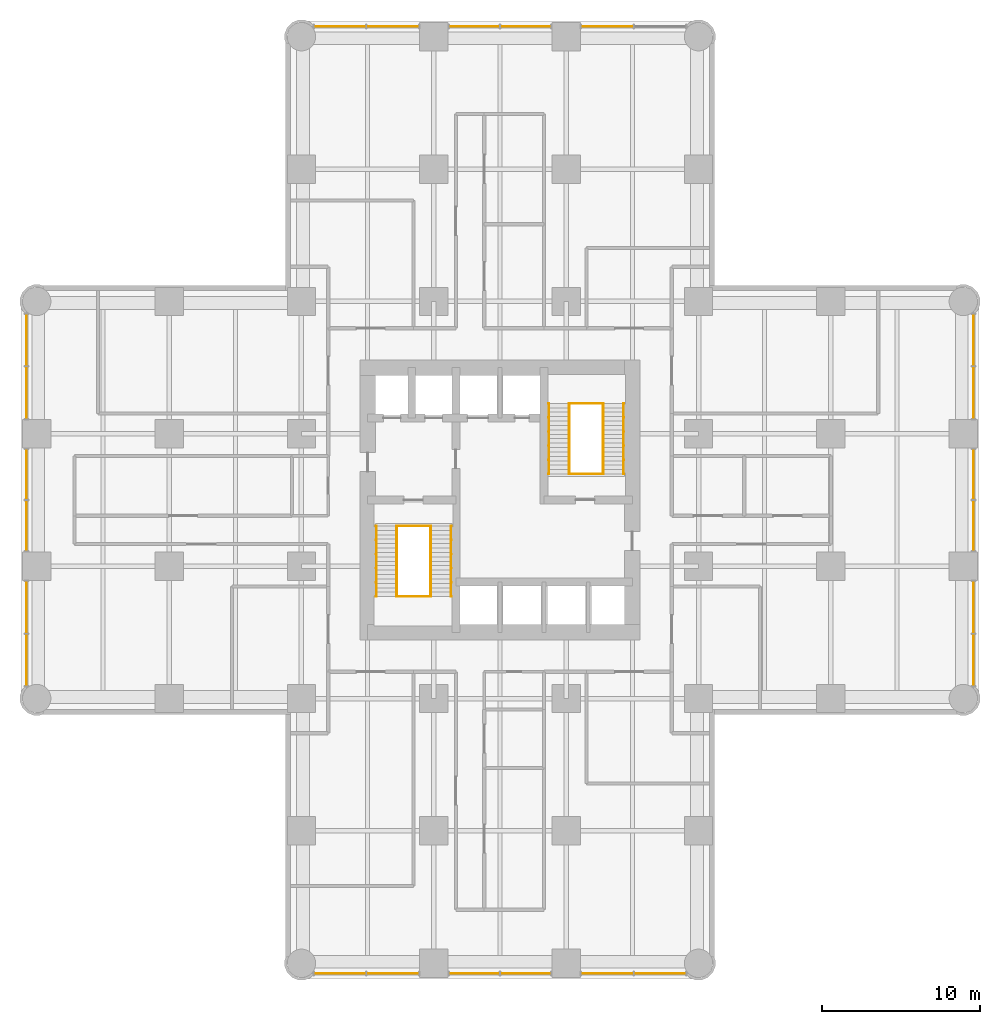
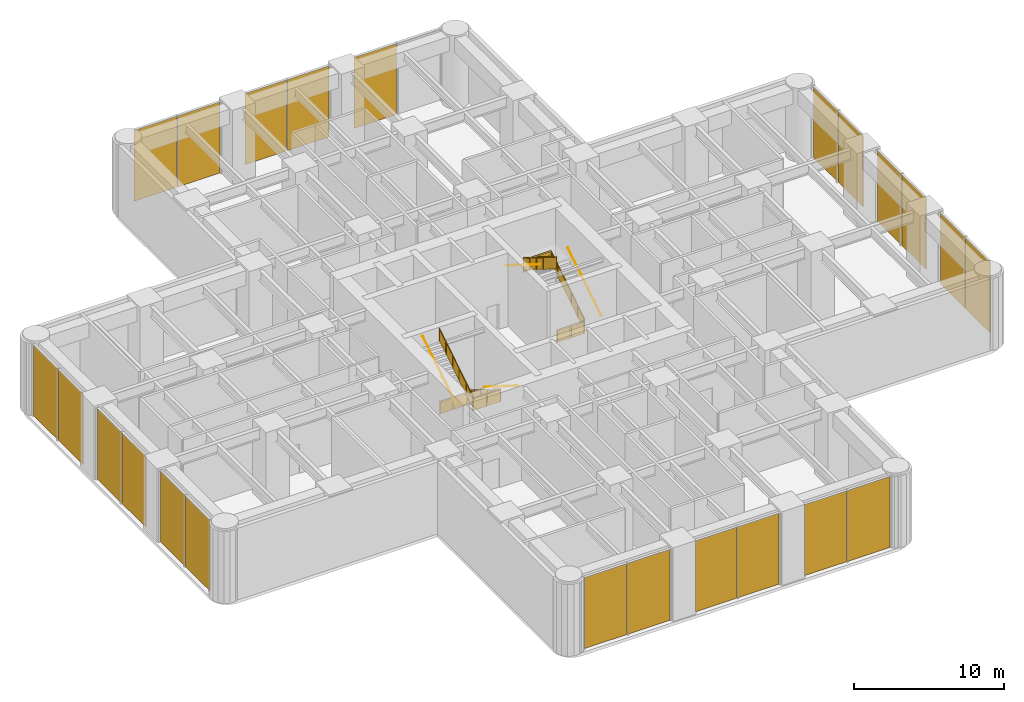
# One storey, part 10 of 11: 23 shading devices, 12 railings, 4 elements without a shape of their own.
"""IFC4 building model written with IfcOpenShell, lengths in metres."""

import ifcopenshell
import ifcopenshell.guid

model = None  # the IFC model being written
_history = None  # IfcOwnerHistory: only IFC2X3 demands one
_inside = {}  # id of a spatial element -> (the spatial element, [elements in it])
_under = {}  # id of a project, library or spatial element -> (it, [spatial elements below it])
_declared = {}  # id of a project -> (the project, [libraries it declares])
_typed = {}  # id of a type object -> (the type object, [elements of that type])
_made_of = {}  # id of a material, layer set ... -> (it, [elements and type objects made of it])


def new_model(schema):
    """Start an empty IFC model of exactly this schema.

    Asked for "IFC4X3", IfcOpenShell would pick the latest addendum, in which some entities
    have other attributes; the version numbers below select the first issue.
    IFC2X3 requires an IfcOwnerHistory on every rooted entity: one is made here for all.
    """
    global model, _history
    if schema == "IFC4X3":
        model = ifcopenshell.file(schema_version=(4, 3, 0, 0))
    else:
        model = ifcopenshell.file(schema=schema)
    _inside.clear()
    _under.clear()
    _declared.clear()
    _typed.clear()
    _made_of.clear()
    _history = None
    if model.schema == "IFC2X3":
        org = make("IfcOrganization", Name="unknown")
        user = make(
            "IfcPersonAndOrganization",
            ThePerson=make("IfcPerson", FamilyName="unknown"),
            TheOrganization=org,
        )
        app = make(
            "IfcApplication",
            ApplicationDeveloper=org,
            Version="unknown",
            ApplicationFullName="unknown",
            ApplicationIdentifier="unknown",
        )
        _history = make(
            "IfcOwnerHistory",
            OwningUser=user,
            OwningApplication=app,
            ChangeAction="ADDED",
            CreationDate=0,
        )
    return model


def make(cls, **values):
    """One entity of the class cls with the attributes given. An attribute that is None is left unset."""
    return model.create_entity(
        cls, **{name: value for name, value in values.items() if value is not None}
    )


def rooted(cls, **values):
    """An entity with a GlobalId (a new one), such as an element, a storey or a relation."""
    return make(cls, GlobalId=ifcopenshell.guid.new(), OwnerHistory=_history, **values)


def si_unit(unit_type, name, prefix=None):
    """IfcSIUnit, for example si_unit("LENGTHUNIT", "METRE", prefix="MILLI")."""
    return make("IfcSIUnit", UnitType=unit_type, Prefix=prefix, Name=name)


def assignment(units):
    """IfcUnitAssignment: the units of a project."""
    return None if units is None else make("IfcUnitAssignment", Units=units)


def point(xyz):
    """IfcCartesianPoint."""
    return None if xyz is None else make("IfcCartesianPoint", Coordinates=xyz)


def direction(xyz):
    """IfcDirection."""
    return None if xyz is None else make("IfcDirection", DirectionRatios=xyz)


def frame(location, z_axis=None, x_axis=None):
    """IfcAxis2Placement3D, a coordinate frame: its origin and axes. An axis left out is left unset."""
    return make(
        "IfcAxis2Placement3D",
        Location=point(location),
        Axis=direction(z_axis),
        RefDirection=direction(x_axis),
    )


def frame_2d(location, x_axis=None):
    """IfcAxis2Placement2D, a coordinate frame in the plane: its origin and x axis."""
    return make(
        "IfcAxis2Placement2D", Location=point(location), RefDirection=direction(x_axis)
    )


def origin():
    """The frame at (0, 0, 0) with its axes left unset."""
    return frame((0.0, 0.0, 0.0))


def origin_2d():
    """The frame at (0, 0) in the plane with its x axis left unset."""
    return frame_2d((0.0, 0.0))


def place(relative_to, where):
    """IfcLocalPlacement: puts the frame where relative to a parent placement (None: the world)."""
    return make(
        "IfcLocalPlacement", PlacementRelTo=relative_to, RelativePlacement=where
    )


def context(
    kind, dimensions, precision=None, world=None, true_north=None, identifier=None
):
    """IfcGeometricRepresentationContext, for example the 3D "Model" context."""
    return make(
        "IfcGeometricRepresentationContext",
        ContextIdentifier=identifier,
        ContextType=kind,
        CoordinateSpaceDimension=dimensions,
        Precision=precision,
        WorldCoordinateSystem=world,
        TrueNorth=true_north,
    )


def subcontext(parent, identifier, kind, view, scale=None):
    """IfcGeometricRepresentationSubContext, for example "Body" below "Model"."""
    return make(
        "IfcGeometricRepresentationSubContext",
        ContextIdentifier=identifier,
        ContextType=kind,
        ParentContext=parent,
        TargetScale=scale,
        TargetView=view,
    )


def project(units=None, contexts=None):
    """IfcProject with its units and contexts."""
    return rooted(
        "IfcProject",
        Name="project",
        RepresentationContexts=contexts,
        UnitsInContext=assignment(units),
    )


def spatial(cls, under=None, at=None, **own):
    """A site, building, storey or space (cls), placed at a placement, below another one or the project."""
    s = rooted(cls, ObjectPlacement=at, **own)
    if under is not None:
        _under.setdefault(under.id(), (under, []))[1].append(s)
    return s


def polyline(points):
    """IfcPolyline through the points."""
    return make("IfcPolyline", Points=[point(p) for p in points])


def profile(cls, at=None, kind="AREA", **sizes):
    """A parametric profile (cls). Its sizes go by their IFC names, for example OverallWidth=200.0."""
    return make(cls, ProfileType=kind, Position=at, **sizes)


def rectangle(**sizes):
    """IfcRectangleProfileDef."""
    return profile("IfcRectangleProfileDef", **sizes)


def circle(**sizes):
    """IfcCircleProfileDef."""
    return profile("IfcCircleProfileDef", **sizes)


def outline(outer, holes=None, kind="AREA"):
    """IfcArbitraryClosedProfileDef: a profile drawn as a closed curve; with holes, ...WithVoids."""
    if holes is None:
        return make("IfcArbitraryClosedProfileDef", ProfileType=kind, OuterCurve=outer)
    return make(
        "IfcArbitraryProfileDefWithVoids",
        ProfileType=kind,
        OuterCurve=outer,
        InnerCurves=holes,
    )


def extrude(swept, where, along, depth):
    """IfcExtrudedAreaSolid: the profile swept, set in the frame where, extruded along a direction by depth."""
    return make(
        "IfcExtrudedAreaSolid",
        SweptArea=swept,
        Position=where,
        ExtrudedDirection=direction(along),
        Depth=depth,
    )


def shape(context_of_items, identifier, shape_type, items):
    """IfcShapeRepresentation: the items that make up one representation, for example the "Body"."""
    return make(
        "IfcShapeRepresentation",
        ContextOfItems=context_of_items,
        RepresentationIdentifier=identifier,
        RepresentationType=shape_type,
        Items=items,
    )


def material(Name=None, Category=None):
    """IfcMaterial."""
    return make("IfcMaterial", Name=Name, Category=Category)


def layer(
    of_material, thickness, ventilated=None, Name=None, Category=None, Priority=None
):
    """IfcMaterialLayer: one layer of a wall or slab, of a material (None: an air gap)."""
    return make(
        "IfcMaterialLayer",
        Material=of_material,
        LayerThickness=thickness,
        IsVentilated=ventilated,
        Name=Name,
        Category=Category,
        Priority=Priority,
    )


def layer_set(layers, Name=None):
    """IfcMaterialLayerSet."""
    return make("IfcMaterialLayerSet", MaterialLayers=layers, LayerSetName=Name)


def made_of(thing, what):
    """Note that an element or type object is made of a material, layer set ...; save() writes the relation."""
    if what is not None:
        _made_of.setdefault(what.id(), (what, []))[1].append(thing)
    return thing


def type_object(cls, material=None, **own):
    """A type object (cls), such as IfcWallType, which elements share."""
    return made_of(rooted(cls, **own), material)


def element(
    cls,
    number,
    at=None,
    inside=None,
    cuts=None,
    type_object=None,
    material=None,
    context=None,
    identifier="Body",
    shape_type=None,
    held_by="IfcProductDefinitionShape",
    body=None,
    shapes=None,
    **own,
):
    """One element of the class cls, such as IfcWall. Its Tag is "e" and its number.

    at: its placement. inside: the storey or other place that contains it. cuts: it is an
    opening in that element (IfcRelVoidsElement). A single representation is given by context,
    identifier, shape_type and body (its items); several are given by shapes. held_by: the class
    of the entity that holds the representations. save() writes the other relations.
    """
    e = rooted(cls, Tag="e%d" % number, ObjectPlacement=at, **own)
    if body is not None:
        shapes = [shape(context, identifier, shape_type, body)]
    if shapes is not None:
        e.Representation = make(held_by, Representations=shapes)
    if inside is not None:
        _inside.setdefault(inside.id(), (inside, []))[1].append(e)
    if cuts is not None:
        rooted(
            "IfcRelVoidsElement", RelatingBuildingElement=cuts, RelatedOpeningElement=e
        )
    if type_object is not None:
        _typed.setdefault(type_object.id(), (type_object, []))[1].append(e)
    return made_of(e, material)


def aggregate(whole, parts):
    """IfcRelAggregates: a whole, such as a stair, and the parts it consists of."""
    return rooted("IfcRelAggregates", RelatingObject=whole, RelatedObjects=parts)


def save(model, path):
    """Write the relations noted so far, then the file.

    IfcRelAggregates (storeys below a building ...), IfcRelContainedInSpatialStructure (elements
    in a storey), IfcRelDefinesByType, IfcRelAssociatesMaterial and IfcRelDeclares: one each for
    every whole, place, type object, material and project.
    """
    for whole, parts in _under.values():
        aggregate(whole, parts)
    for where, things in _inside.values():
        rooted(
            "IfcRelContainedInSpatialStructure",
            RelatedElements=things,
            RelatingStructure=where,
        )
    for kind, things in _typed.values():
        rooted("IfcRelDefinesByType", RelatedObjects=things, RelatingType=kind)
    for what, things in _made_of.values():
        rooted("IfcRelAssociatesMaterial", RelatedObjects=things, RelatingMaterial=what)
    for by, libraries in _declared.values():
        rooted("IfcRelDeclares", RelatingContext=by, RelatedDefinitions=libraries)
    model.write(path)


model = new_model("IFC4")

# Units and contexts
model_context = context("Model", 3, precision=1e-05, world=origin(), true_north=direction((0.0, 1.0)))
body_context = subcontext(model_context, "Body", "Model", "MODEL_VIEW")
ifc_project = project(units=[si_unit("LENGTHUNIT", "METRE"), si_unit("AREAUNIT", "SQUARE_METRE"), si_unit("VOLUMEUNIT", "CUBIC_METRE"), si_unit("PLANEANGLEUNIT", "RADIAN"), si_unit("MASSUNIT", "GRAM", prefix="KILO")], contexts=[model_context])

# Site, building, storey
site_placement = place(None, origin())
site = spatial("IfcSite", under=ifc_project, at=site_placement, CompositionType="ELEMENT")
building_placement = place(site_placement, origin())
building = spatial("IfcBuilding", under=site, at=building_placement, Name="Torre Alcanfor", CompositionType="ELEMENT")
storey_placement = place(building_placement, frame((0.0, 0.0, 28.5)))
storey = spatial("IfcBuildingStorey", under=building, at=storey_placement, Name="L06", CompositionType="ELEMENT", Elevation=28.5)

# Curtain wall, shading devices
ifc_material_1 = material(Name="Aluminium and glass", Category="aluminium")
curtain_wall_type = type_object("IfcCurtainWallType", Name="CW-D plant floor louvre screen", PredefinedType="NOTDEFINED", material=ifc_material_1)
curtain_wall_1_placement = place(storey_placement, origin())
curtain_wall_1 = element("IfcCurtainWall", 1, at=curtain_wall_1_placement, inside=storey, type_object=curtain_wall_type, Name="Curtain wall CW-D L06 2", PredefinedType="NOTDEFINED")
ifc_material_2 = material(Name="Aluminium louvre", Category="aluminium")
ifc_layer = layer(ifc_material_2, 0.028076171875)
ifc_layer_set = layer_set([ifc_layer], Name="CW-D aluminium louvre panel")
shading_device_type = type_object("IfcShadingDeviceType", Name="CW-D aluminium louvre panel", PredefinedType="SHUTTER", material=ifc_layer_set)
shading_device_1_placement = place(storey_placement, frame((-0.64990234375, 39.544189453125, 0.0), z_axis=(0.0, 0.0, 1.0), x_axis=(0.0, -1.0, 0.0)))
shading_device_1 = element("IfcShadingDevice", 2, at=shading_device_1_placement, type_object=shading_device_type, Name="CW-D panel 1.1.1", PredefinedType="SHUTTER", context=body_context, shape_type="SweptSolid", body=[
    extrude(rectangle(XDim=3.27294921875, YDim=0.028076171875, at=origin_2d()), origin(), (0.0, 0.0, 1.0), 5.784912109375),
])
shading_device_2_placement = place(storey_placement, frame((-0.64990234375, 36.20654296875, 0.0), z_axis=(0.0, 0.0, 1.0), x_axis=(0.0, -1.0, 0.0)))
shading_device_2 = element("IfcShadingDevice", 3, at=shading_device_2_placement, type_object=shading_device_type, Name="CW-D panel 1.2.1", PredefinedType="SHUTTER", context=body_context, shape_type="SweptSolid", body=[
    extrude(rectangle(XDim=3.27294921875, YDim=0.028076171875, at=origin_2d()), origin(), (0.0, 0.0, 1.0), 5.784912109375),
])
shading_device_3_placement = place(storey_placement, frame((-0.64990234375, 31.03125, 0.0), z_axis=(0.0, 0.0, 1.0), x_axis=(0.0, -1.0, 0.0)))
shading_device_3 = element("IfcShadingDevice", 4, at=shading_device_3_placement, type_object=shading_device_type, Name="CW-D panel 2.1.1", PredefinedType="SHUTTER", context=body_context, shape_type="SweptSolid", body=[
    extrude(rectangle(XDim=3.197509765625, YDim=0.028076171875, at=origin_2d()), origin(), (0.0, 0.0, 1.0), 5.784912109375),
])
shading_device_4_placement = place(storey_placement, frame((-0.64990234375, 27.768798828125, 0.0), z_axis=(0.0, 0.0, 1.0), x_axis=(0.0, -1.0, 0.0)))
shading_device_4 = element("IfcShadingDevice", 5, at=shading_device_4_placement, type_object=shading_device_type, Name="CW-D panel 2.2.1", PredefinedType="SHUTTER", context=body_context, shape_type="SweptSolid", body=[
    extrude(rectangle(XDim=3.197509765625, YDim=0.028076171875, at=origin_2d()), origin(), (0.0, 0.0, 1.0), 5.784912109375),
])
shading_device_5_placement = place(storey_placement, frame((-0.64990234375, 22.593505859375, 0.0), z_axis=(0.0, 0.0, 1.0), x_axis=(0.0, -1.0, 0.0)))
shading_device_5 = element("IfcShadingDevice", 6, at=shading_device_5_placement, type_object=shading_device_type, Name="CW-D panel 3.1.1", PredefinedType="SHUTTER", context=body_context, shape_type="SweptSolid", body=[
    extrude(rectangle(XDim=3.27294921875, YDim=0.028076171875, at=origin_2d()), origin(), (0.0, 0.0, 1.0), 5.784912109375),
])
shading_device_6_placement = place(storey_placement, frame((-0.64990234375, 19.255615234375, 0.0), z_axis=(0.0, 0.0, 1.0), x_axis=(0.0, -1.0, 0.0)))
shading_device_6 = element("IfcShadingDevice", 7, at=shading_device_6_placement, type_object=shading_device_type, Name="CW-D panel 3.2.1", PredefinedType="SHUTTER", context=body_context, shape_type="SweptSolid", body=[
    extrude(rectangle(XDim=3.27294921875, YDim=0.028076171875, at=origin_2d()), origin(), (0.0, 0.0, 1.0), 5.784912109375),
])
aggregate(curtain_wall_1, [shading_device_1, shading_device_2, shading_device_3, shading_device_4, shading_device_5, shading_device_6])

curtain_wall_2_placement = place(storey_placement, origin())
curtain_wall_2 = element("IfcCurtainWall", 8, at=curtain_wall_2_placement, inside=storey, type_object=curtain_wall_type, Name="Curtain wall CW-D L06 5", PredefinedType="NOTDEFINED")
shading_device_7_placement = place(storey_placement, frame((19.255615234375, -0.64990234375, 0.0), z_axis=(0.0, 0.0, 1.0), x_axis=(1.0, 0.0, 0.0)))
shading_device_7 = element("IfcShadingDevice", 9, at=shading_device_7_placement, type_object=shading_device_type, Name="CW-D panel 1.1.1", PredefinedType="SHUTTER", context=body_context, shape_type="SweptSolid", body=[
    extrude(rectangle(XDim=3.27294921875, YDim=0.028076171875, at=origin_2d()), origin(), (0.0, 0.0, 1.0), 5.784912109375),
])
shading_device_8_placement = place(storey_placement, frame((22.593505859375, -0.64990234375, 0.0), z_axis=(0.0, 0.0, 1.0), x_axis=(1.0, 0.0, 0.0)))
shading_device_8 = element("IfcShadingDevice", 10, at=shading_device_8_placement, type_object=shading_device_type, Name="CW-D panel 1.2.1", PredefinedType="SHUTTER", context=body_context, shape_type="SweptSolid", body=[
    extrude(rectangle(XDim=3.27294921875, YDim=0.028076171875, at=origin_2d()), origin(), (0.0, 0.0, 1.0), 5.784912109375),
])
shading_device_9_placement = place(storey_placement, frame((27.768798828125, -0.64990234375, 0.0), z_axis=(0.0, 0.0, 1.0), x_axis=(1.0, 0.0, 0.0)))
shading_device_9 = element("IfcShadingDevice", 11, at=shading_device_9_placement, type_object=shading_device_type, Name="CW-D panel 2.1.1", PredefinedType="SHUTTER", context=body_context, shape_type="SweptSolid", body=[
    extrude(rectangle(XDim=3.197509765625, YDim=0.028076171875, at=origin_2d()), origin(), (0.0, 0.0, 1.0), 5.784912109375),
])
shading_device_10_placement = place(storey_placement, frame((31.03125, -0.64990234375, 0.0), z_axis=(0.0, 0.0, 1.0), x_axis=(1.0, 0.0, 0.0)))
shading_device_10 = element("IfcShadingDevice", 12, at=shading_device_10_placement, type_object=shading_device_type, Name="CW-D panel 2.2.1", PredefinedType="SHUTTER", context=body_context, shape_type="SweptSolid", body=[
    extrude(rectangle(XDim=3.197509765625, YDim=0.028076171875, at=origin_2d()), origin(), (0.0, 0.0, 1.0), 5.784912109375),
])
shading_device_11_placement = place(storey_placement, frame((36.20654296875, -0.64990234375, 0.0), z_axis=(0.0, 0.0, 1.0), x_axis=(1.0, 0.0, 0.0)))
shading_device_11 = element("IfcShadingDevice", 13, at=shading_device_11_placement, type_object=shading_device_type, Name="CW-D panel 3.1.1", PredefinedType="SHUTTER", context=body_context, shape_type="SweptSolid", body=[
    extrude(rectangle(XDim=3.27294921875, YDim=0.028076171875, at=origin_2d()), origin(), (0.0, 0.0, 1.0), 5.784912109375),
])
shading_device_12_placement = place(storey_placement, frame((39.544189453125, -0.64990234375, 0.0), z_axis=(0.0, 0.0, 1.0), x_axis=(1.0, 0.0, 0.0)))
shading_device_12 = element("IfcShadingDevice", 14, at=shading_device_12_placement, type_object=shading_device_type, Name="CW-D panel 3.2.1", PredefinedType="SHUTTER", context=body_context, shape_type="SweptSolid", body=[
    extrude(rectangle(XDim=3.27294921875, YDim=0.028076171875, at=origin_2d()), origin(), (0.0, 0.0, 1.0), 5.784912109375),
])
aggregate(curtain_wall_2, [shading_device_7, shading_device_8, shading_device_9, shading_device_10, shading_device_11, shading_device_12])

curtain_wall_3_placement = place(storey_placement, origin())
curtain_wall_3 = element("IfcCurtainWall", 15, at=curtain_wall_3_placement, inside=storey, type_object=curtain_wall_type, Name="Curtain wall CW-D L06 8", PredefinedType="NOTDEFINED")
shading_device_13_placement = place(storey_placement, frame((59.449951171875, 19.255615234375, 0.0), z_axis=(0.0, 0.0, 1.0), x_axis=(0.0, 1.0, 0.0)))
shading_device_13 = element("IfcShadingDevice", 16, at=shading_device_13_placement, type_object=shading_device_type, Name="CW-D panel 1.1.1", PredefinedType="SHUTTER", context=body_context, shape_type="SweptSolid", body=[
    extrude(rectangle(XDim=3.27294921875, YDim=0.028076171875, at=origin_2d()), origin(), (0.0, 0.0, 1.0), 5.784912109375),
])
shading_device_14_placement = place(storey_placement, frame((59.449951171875, 22.593505859375, 0.0), z_axis=(0.0, 0.0, 1.0), x_axis=(0.0, 1.0, 0.0)))
shading_device_14 = element("IfcShadingDevice", 17, at=shading_device_14_placement, type_object=shading_device_type, Name="CW-D panel 1.2.1", PredefinedType="SHUTTER", context=body_context, shape_type="SweptSolid", body=[
    extrude(rectangle(XDim=3.27294921875, YDim=0.028076171875, at=origin_2d()), origin(), (0.0, 0.0, 1.0), 5.784912109375),
])
shading_device_15_placement = place(storey_placement, frame((59.449951171875, 27.768798828125, 0.0), z_axis=(0.0, 0.0, 1.0), x_axis=(0.0, 1.0, 0.0)))
shading_device_15 = element("IfcShadingDevice", 18, at=shading_device_15_placement, type_object=shading_device_type, Name="CW-D panel 2.1.1", PredefinedType="SHUTTER", context=body_context, shape_type="SweptSolid", body=[
    extrude(rectangle(XDim=3.197509765625, YDim=0.028076171875, at=origin_2d()), origin(), (0.0, 0.0, 1.0), 5.784912109375),
])
shading_device_16_placement = place(storey_placement, frame((59.449951171875, 31.03125, 0.0), z_axis=(0.0, 0.0, 1.0), x_axis=(0.0, 1.0, 0.0)))
shading_device_16 = element("IfcShadingDevice", 19, at=shading_device_16_placement, type_object=shading_device_type, Name="CW-D panel 2.2.1", PredefinedType="SHUTTER", context=body_context, shape_type="SweptSolid", body=[
    extrude(rectangle(XDim=3.197509765625, YDim=0.028076171875, at=origin_2d()), origin(), (0.0, 0.0, 1.0), 5.784912109375),
])
shading_device_17_placement = place(storey_placement, frame((59.449951171875, 36.20654296875, 0.0), z_axis=(0.0, 0.0, 1.0), x_axis=(0.0, 1.0, 0.0)))
shading_device_17 = element("IfcShadingDevice", 20, at=shading_device_17_placement, type_object=shading_device_type, Name="CW-D panel 3.1.1", PredefinedType="SHUTTER", context=body_context, shape_type="SweptSolid", body=[
    extrude(rectangle(XDim=3.27294921875, YDim=0.028076171875, at=origin_2d()), origin(), (0.0, 0.0, 1.0), 5.784912109375),
])
shading_device_18_placement = place(storey_placement, frame((59.449951171875, 39.544189453125, 0.0), z_axis=(0.0, 0.0, 1.0), x_axis=(0.0, 1.0, 0.0)))
shading_device_18 = element("IfcShadingDevice", 21, at=shading_device_18_placement, type_object=shading_device_type, Name="CW-D panel 3.2.1", PredefinedType="SHUTTER", context=body_context, shape_type="SweptSolid", body=[
    extrude(rectangle(XDim=3.27294921875, YDim=0.028076171875, at=origin_2d()), origin(), (0.0, 0.0, 1.0), 5.784912109375),
])
aggregate(curtain_wall_3, [shading_device_13, shading_device_14, shading_device_15, shading_device_16, shading_device_17, shading_device_18])

curtain_wall_4_placement = place(storey_placement, origin())
curtain_wall_4 = element("IfcCurtainWall", 22, at=curtain_wall_4_placement, inside=storey, type_object=curtain_wall_type, Name="Curtain wall CW-D L06 11", PredefinedType="NOTDEFINED")
shading_device_19_placement = place(storey_placement, frame((36.20654296875, 59.449951171875, 0.0), z_axis=(0.0, 0.0, 1.0), x_axis=(-1.0, 0.0, 0.0)))
shading_device_19 = element("IfcShadingDevice", 23, at=shading_device_19_placement, type_object=shading_device_type, Name="CW-D panel 1.2.1", PredefinedType="SHUTTER", context=body_context, shape_type="SweptSolid", body=[
    extrude(rectangle(XDim=3.27294921875, YDim=0.028076171875, at=origin_2d()), origin(), (0.0, 0.0, 1.0), 5.784912109375),
])
shading_device_20_placement = place(storey_placement, frame((31.03125, 59.449951171875, 0.0), z_axis=(0.0, 0.0, 1.0), x_axis=(-1.0, 0.0, 0.0)))
shading_device_20 = element("IfcShadingDevice", 24, at=shading_device_20_placement, type_object=shading_device_type, Name="CW-D panel 2.1.1", PredefinedType="SHUTTER", context=body_context, shape_type="SweptSolid", body=[
    extrude(rectangle(XDim=3.197509765625, YDim=0.028076171875, at=origin_2d()), origin(), (0.0, 0.0, 1.0), 5.784912109375),
])
shading_device_21_placement = place(storey_placement, frame((27.768798828125, 59.449951171875, 0.0), z_axis=(0.0, 0.0, 1.0), x_axis=(-1.0, 0.0, 0.0)))
shading_device_21 = element("IfcShadingDevice", 25, at=shading_device_21_placement, type_object=shading_device_type, Name="CW-D panel 2.2.1", PredefinedType="SHUTTER", context=body_context, shape_type="SweptSolid", body=[
    extrude(rectangle(XDim=3.197509765625, YDim=0.028076171875, at=origin_2d()), origin(), (0.0, 0.0, 1.0), 5.784912109375),
])
shading_device_22_placement = place(storey_placement, frame((22.593505859375, 59.449951171875, 0.0), z_axis=(0.0, 0.0, 1.0), x_axis=(-1.0, 0.0, 0.0)))
shading_device_22 = element("IfcShadingDevice", 26, at=shading_device_22_placement, type_object=shading_device_type, Name="CW-D panel 3.1.1", PredefinedType="SHUTTER", context=body_context, shape_type="SweptSolid", body=[
    extrude(rectangle(XDim=3.27294921875, YDim=0.028076171875, at=origin_2d()), origin(), (0.0, 0.0, 1.0), 5.784912109375),
])
shading_device_23_placement = place(storey_placement, frame((19.255615234375, 59.449951171875, 0.0), z_axis=(0.0, 0.0, 1.0), x_axis=(-1.0, 0.0, 0.0)))
shading_device_23 = element("IfcShadingDevice", 27, at=shading_device_23_placement, type_object=shading_device_type, Name="CW-D panel 3.2.1", PredefinedType="SHUTTER", context=body_context, shape_type="SweptSolid", body=[
    extrude(rectangle(XDim=3.27294921875, YDim=0.028076171875, at=origin_2d()), origin(), (0.0, 0.0, 1.0), 5.784912109375),
])
aggregate(curtain_wall_4, [shading_device_19, shading_device_20, shading_device_21, shading_device_22, shading_device_23])

# Railings
ifc_material_3 = material(Name="Steel ASTM A500 Grade C hollow sections", Category="steel")
railing_type_1 = type_object("IfcRailingType", Name="Stair guard and handrail 1100", PredefinedType="GUARDRAIL", material=ifc_material_3)
railing_1_placement = place(storey_placement, frame((25.0, 27.75, 0.176513671875)))
element("IfcRailing", 28, at=railing_1_placement, inside=storey, type_object=railing_type_1, Name="Stair guard S1 L06 flight 1", PredefinedType="GUARDRAIL", context=body_context, shape_type="SweptSolid", body=[
    extrude(circle(Radius=0.02392578125, at=origin_2d()), frame((0.0, 0.0, 1.076171875), z_axis=(0.0, -0.845997938375, 0.533186166611), x_axis=(1.0, 0.0, 0.0)), (0.0, 0.0, 1.0), 5.29541015625),
    extrude(circle(Radius=0.02099609375, at=origin_2d()), origin(), (0.0, 0.0, 1.0), 1.052001953125),
    extrude(circle(Radius=0.02099609375, at=origin_2d()), frame((0.0, -0.89599609375, 0.564697265625)), (0.0, 0.0, 1.0), 1.052001953125),
    extrude(circle(Radius=0.02099609375, at=origin_2d()), frame((0.0, -1.7919921875, 1.12939453125)), (0.0, 0.0, 1.0), 1.052001953125),
    extrude(circle(Radius=0.02099609375, at=origin_2d()), frame((0.0, -2.68798828125, 1.694091796875)), (0.0, 0.0, 1.0), 1.052001953125),
    extrude(circle(Radius=0.02099609375, at=origin_2d()), frame((0.0, -3.583984375, 2.2587890625)), (0.0, 0.0, 1.0), 1.052001953125),
    extrude(circle(Radius=0.02099609375, at=origin_2d()), frame((0.0, -4.47998046875, 2.823486328125)), (0.0, 0.0, 1.0), 1.052001953125),
    extrude(outline(polyline([(0.041015625, 0.075927734375), (0.85498046875, 0.5888671875), (0.85498046875, 1.540771484375), (0.041015625, 1.02783203125), (0.041015625, 0.075927734375)])), frame((0.005859375, 0.0, 0.0), z_axis=(-1.0, 0.0, 0.0), x_axis=(0.0, -1.0, 0.0)), (0.0, 0.0, 1.0), 0.011962890625),
    extrude(outline(polyline([(0.93701171875, 0.640625), (1.7509765625, 1.153564453125), (1.7509765625, 2.10546875), (0.93701171875, 1.592529296875), (0.93701171875, 0.640625)])), frame((0.005859375, 0.0, 0.0), z_axis=(-1.0, 0.0, 0.0), x_axis=(0.0, -1.0, 0.0)), (0.0, 0.0, 1.0), 0.011962890625),
    extrude(outline(polyline([(1.8330078125, 1.205322265625), (2.64697265625, 1.71826171875), (2.64697265625, 2.670166015625), (1.8330078125, 2.1572265625), (1.8330078125, 1.205322265625)])), frame((0.005859375, 0.0, 0.0), z_axis=(-1.0, 0.0, 0.0), x_axis=(0.0, -1.0, 0.0)), (0.0, 0.0, 1.0), 0.011962890625),
    extrude(outline(polyline([(2.72900390625, 1.77001953125), (3.54296875, 2.282958984375), (3.54296875, 3.23486328125), (2.72900390625, 2.721923828125), (2.72900390625, 1.77001953125)])), frame((0.005859375, 0.0, 0.0), z_axis=(-1.0, 0.0, 0.0), x_axis=(0.0, -1.0, 0.0)), (0.0, 0.0, 1.0), 0.011962890625),
    extrude(outline(polyline([(3.625, 2.334716796875), (4.43896484375, 2.84765625), (4.43896484375, 3.799560546875), (3.625, 3.28662109375), (3.625, 2.334716796875)])), frame((0.005859375, 0.0, 0.0), z_axis=(-1.0, 0.0, 0.0), x_axis=(0.0, -1.0, 0.0)), (0.0, 0.0, 1.0), 0.011962890625),
])
railing_2_placement = place(storey_placement, frame((22.85009765625, 23.27001953125, 3.176513671875)))
element("IfcRailing", 29, at=railing_2_placement, inside=storey, type_object=railing_type_1, Name="Stair guard S1 L06 flight 2", PredefinedType="GUARDRAIL", context=body_context, shape_type="SweptSolid", body=[
    extrude(circle(Radius=0.02392578125, at=origin_2d()), frame((0.0, 0.0, 1.076171875), z_axis=(0.0, 0.845997938375, 0.533186166611), x_axis=(-1.0, 0.0, 0.0)), (0.0, 0.0, 1.0), 5.29541015625),
    extrude(circle(Radius=0.02099609375, at=origin_2d()), origin(), (0.0, 0.0, 1.0), 1.052001953125),
    extrude(circle(Radius=0.02099609375, at=origin_2d()), frame((0.0, 0.89599609375, 0.564697265625)), (0.0, 0.0, 1.0), 1.052001953125),
    extrude(circle(Radius=0.02099609375, at=origin_2d()), frame((0.0, 1.7919921875, 1.12939453125)), (0.0, 0.0, 1.0), 1.052001953125),
    extrude(circle(Radius=0.02099609375, at=origin_2d()), frame((0.0, 2.68798828125, 1.694091796875)), (0.0, 0.0, 1.0), 1.052001953125),
    extrude(circle(Radius=0.02099609375, at=origin_2d()), frame((0.0, 3.583984375, 2.2587890625)), (0.0, 0.0, 1.0), 1.052001953125),
    extrude(circle(Radius=0.02099609375, at=origin_2d()), frame((0.0, 4.47998046875, 2.823486328125)), (0.0, 0.0, 1.0), 1.052001953125),
    extrude(outline(polyline([(0.041015625, 0.075927734375), (0.85498046875, 0.5888671875), (0.85498046875, 1.540771484375), (0.041015625, 1.02783203125), (0.041015625, 0.075927734375)])), frame((-0.005859375, 0.0, 0.0), z_axis=(1.0, 0.0, 0.0), x_axis=(0.0, 1.0, 0.0)), (0.0, 0.0, 1.0), 0.011962890625),
    extrude(outline(polyline([(0.93701171875, 0.640625), (1.7509765625, 1.153564453125), (1.7509765625, 2.10546875), (0.93701171875, 1.592529296875), (0.93701171875, 0.640625)])), frame((-0.005859375, 0.0, 0.0), z_axis=(1.0, 0.0, 0.0), x_axis=(0.0, 1.0, 0.0)), (0.0, 0.0, 1.0), 0.011962890625),
    extrude(outline(polyline([(1.8330078125, 1.205322265625), (2.64697265625, 1.71826171875), (2.64697265625, 2.670166015625), (1.8330078125, 2.1572265625), (1.8330078125, 1.205322265625)])), frame((-0.005859375, 0.0, 0.0), z_axis=(1.0, 0.0, 0.0), x_axis=(0.0, 1.0, 0.0)), (0.0, 0.0, 1.0), 0.011962890625),
    extrude(outline(polyline([(2.72900390625, 1.77001953125), (3.54296875, 2.282958984375), (3.54296875, 3.23486328125), (2.72900390625, 2.721923828125), (2.72900390625, 1.77001953125)])), frame((-0.005859375, 0.0, 0.0), z_axis=(1.0, 0.0, 0.0), x_axis=(0.0, 1.0, 0.0)), (0.0, 0.0, 1.0), 0.011962890625),
    extrude(outline(polyline([(3.625, 2.334716796875), (4.43896484375, 2.84765625), (4.43896484375, 3.799560546875), (3.625, 3.28662109375), (3.625, 2.334716796875)])), frame((-0.005859375, 0.0, 0.0), z_axis=(1.0, 0.0, 0.0), x_axis=(0.0, 1.0, 0.0)), (0.0, 0.0, 1.0), 0.011962890625),
])
for number, where, name in (
    (30, (22.85009765625, 27.75, 0.0), "Stair well guard S1 L06 floor landing"),
    (31, (22.85009765625, 23.27001953125, 3.0), "Stair well guard S1 L06 half landing"),
):
    element("IfcRailing", number, at=place(storey_placement, frame(where)), inside=storey, type_object=railing_type_1, Name=name, PredefinedType="GUARDRAIL", context=body_context, shape_type="SweptSolid", body=[
        extrude(circle(Radius=0.02392578125, at=origin_2d()), frame((0.0, 0.0, 1.076171875), z_axis=(1.0, 0.0, 0.0), x_axis=(0.0, 1.0, 0.0)), (0.0, 0.0, 1.0), 2.14990234375),
        extrude(circle(Radius=0.02099609375, at=origin_2d()), origin(), (0.0, 0.0, 1.0), 1.052001953125),
        extrude(circle(Radius=0.02099609375, at=origin_2d()), frame((1.074951171875, 0.0, 0.0)), (0.0, 0.0, 1.0), 1.052001953125),
        extrude(circle(Radius=0.02099609375, at=origin_2d()), frame((2.14990234375, 0.0, 0.0)), (0.0, 0.0, 1.0), 1.052001953125),
        extrude(outline(polyline([(0.041015625, 0.050048828125), (1.033935546875, 0.050048828125), (1.033935546875, 1.001953125), (0.041015625, 1.001953125), (0.041015625, 0.050048828125)])), frame((0.0, 0.005859375, 0.0), z_axis=(0.0, -1.0, 0.0), x_axis=(1.0, 0.0, 0.0)), (0.0, 0.0, 1.0), 0.011962890625),
        extrude(outline(polyline([(1.115966796875, 0.050048828125), (2.10888671875, 0.050048828125), (2.10888671875, 1.001953125), (1.115966796875, 1.001953125), (1.115966796875, 0.050048828125)])), frame((0.0, 0.005859375, 0.0), z_axis=(0.0, -1.0, 0.0), x_axis=(1.0, 0.0, 0.0)), (0.0, 0.0, 1.0), 0.011962890625),
    ])
railing_3_placement = place(storey_placement, frame((35.949951171875, 31.050048828125, 0.176513671875)))
element("IfcRailing", 32, at=railing_3_placement, inside=storey, type_object=railing_type_1, Name="Stair guard S2 L06 flight 1", PredefinedType="GUARDRAIL", context=body_context, shape_type="SweptSolid", body=[
    extrude(circle(Radius=0.02392578125, at=origin_2d()), frame((0.0, 0.0, 1.076171875), z_axis=(0.0, 0.845997938375, 0.533186166611), x_axis=(-1.0, 0.0, 0.0)), (0.0, 0.0, 1.0), 5.29541015625),
    extrude(circle(Radius=0.02099609375, at=origin_2d()), origin(), (0.0, 0.0, 1.0), 1.052001953125),
    extrude(circle(Radius=0.02099609375, at=origin_2d()), frame((0.0, 0.89599609375, 0.564697265625)), (0.0, 0.0, 1.0), 1.052001953125),
    extrude(circle(Radius=0.02099609375, at=origin_2d()), frame((0.0, 1.7919921875, 1.12939453125)), (0.0, 0.0, 1.0), 1.052001953125),
    extrude(circle(Radius=0.02099609375, at=origin_2d()), frame((0.0, 2.68798828125, 1.694091796875)), (0.0, 0.0, 1.0), 1.052001953125),
    extrude(circle(Radius=0.02099609375, at=origin_2d()), frame((0.0, 3.583984375, 2.2587890625)), (0.0, 0.0, 1.0), 1.052001953125),
    extrude(circle(Radius=0.02099609375, at=origin_2d()), frame((0.0, 4.47998046875, 2.823486328125)), (0.0, 0.0, 1.0), 1.052001953125),
    extrude(outline(polyline([(0.041015625, 0.075927734375), (0.85498046875, 0.5888671875), (0.85498046875, 1.540771484375), (0.041015625, 1.02783203125), (0.041015625, 0.075927734375)])), frame((-0.005859375, 0.0, 0.0), z_axis=(1.0, 0.0, 0.0), x_axis=(0.0, 1.0, 0.0)), (0.0, 0.0, 1.0), 0.011962890625),
    extrude(outline(polyline([(0.93701171875, 0.640625), (1.7509765625, 1.153564453125), (1.7509765625, 2.10546875), (0.93701171875, 1.592529296875), (0.93701171875, 0.640625)])), frame((-0.005859375, 0.0, 0.0), z_axis=(1.0, 0.0, 0.0), x_axis=(0.0, 1.0, 0.0)), (0.0, 0.0, 1.0), 0.011962890625),
    extrude(outline(polyline([(1.8330078125, 1.205322265625), (2.64697265625, 1.71826171875), (2.64697265625, 2.670166015625), (1.8330078125, 2.1572265625), (1.8330078125, 1.205322265625)])), frame((-0.005859375, 0.0, 0.0), z_axis=(1.0, 0.0, 0.0), x_axis=(0.0, 1.0, 0.0)), (0.0, 0.0, 1.0), 0.011962890625),
    extrude(outline(polyline([(2.72900390625, 1.77001953125), (3.54296875, 2.282958984375), (3.54296875, 3.23486328125), (2.72900390625, 2.721923828125), (2.72900390625, 1.77001953125)])), frame((-0.005859375, 0.0, 0.0), z_axis=(1.0, 0.0, 0.0), x_axis=(0.0, 1.0, 0.0)), (0.0, 0.0, 1.0), 0.011962890625),
    extrude(outline(polyline([(3.625, 2.334716796875), (4.43896484375, 2.84765625), (4.43896484375, 3.799560546875), (3.625, 3.28662109375), (3.625, 2.334716796875)])), frame((-0.005859375, 0.0, 0.0), z_axis=(1.0, 0.0, 0.0), x_axis=(0.0, 1.0, 0.0)), (0.0, 0.0, 1.0), 0.011962890625),
])
railing_4_placement = place(storey_placement, frame((33.800048828125, 35.530029296875, 3.176513671875)))
element("IfcRailing", 33, at=railing_4_placement, inside=storey, type_object=railing_type_1, Name="Stair guard S2 L06 flight 2", PredefinedType="GUARDRAIL", context=body_context, shape_type="SweptSolid", body=[
    extrude(circle(Radius=0.02392578125, at=origin_2d()), frame((0.0, 0.0, 1.076171875), z_axis=(0.0, -0.845997938375, 0.533186166611), x_axis=(1.0, 0.0, 0.0)), (0.0, 0.0, 1.0), 5.29541015625),
    extrude(circle(Radius=0.02099609375, at=origin_2d()), origin(), (0.0, 0.0, 1.0), 1.052001953125),
    extrude(circle(Radius=0.02099609375, at=origin_2d()), frame((0.0, -0.89599609375, 0.564697265625)), (0.0, 0.0, 1.0), 1.052001953125),
    extrude(circle(Radius=0.02099609375, at=origin_2d()), frame((0.0, -1.7919921875, 1.12939453125)), (0.0, 0.0, 1.0), 1.052001953125),
    extrude(circle(Radius=0.02099609375, at=origin_2d()), frame((0.0, -2.68798828125, 1.694091796875)), (0.0, 0.0, 1.0), 1.052001953125),
    extrude(circle(Radius=0.02099609375, at=origin_2d()), frame((0.0, -3.583984375, 2.2587890625)), (0.0, 0.0, 1.0), 1.052001953125),
    extrude(circle(Radius=0.02099609375, at=origin_2d()), frame((0.0, -4.47998046875, 2.823486328125)), (0.0, 0.0, 1.0), 1.052001953125),
    extrude(outline(polyline([(0.041015625, 0.075927734375), (0.85498046875, 0.5888671875), (0.85498046875, 1.540771484375), (0.041015625, 1.02783203125), (0.041015625, 0.075927734375)])), frame((0.005859375, 0.0, 0.0), z_axis=(-1.0, 0.0, 0.0), x_axis=(0.0, -1.0, 0.0)), (0.0, 0.0, 1.0), 0.011962890625),
    extrude(outline(polyline([(0.93701171875, 0.640625), (1.7509765625, 1.153564453125), (1.7509765625, 2.10546875), (0.93701171875, 1.592529296875), (0.93701171875, 0.640625)])), frame((0.005859375, 0.0, 0.0), z_axis=(-1.0, 0.0, 0.0), x_axis=(0.0, -1.0, 0.0)), (0.0, 0.0, 1.0), 0.011962890625),
    extrude(outline(polyline([(1.8330078125, 1.205322265625), (2.64697265625, 1.71826171875), (2.64697265625, 2.670166015625), (1.8330078125, 2.1572265625), (1.8330078125, 1.205322265625)])), frame((0.005859375, 0.0, 0.0), z_axis=(-1.0, 0.0, 0.0), x_axis=(0.0, -1.0, 0.0)), (0.0, 0.0, 1.0), 0.011962890625),
    extrude(outline(polyline([(2.72900390625, 1.77001953125), (3.54296875, 2.282958984375), (3.54296875, 3.23486328125), (2.72900390625, 2.721923828125), (2.72900390625, 1.77001953125)])), frame((0.005859375, 0.0, 0.0), z_axis=(-1.0, 0.0, 0.0), x_axis=(0.0, -1.0, 0.0)), (0.0, 0.0, 1.0), 0.011962890625),
    extrude(outline(polyline([(3.625, 2.334716796875), (4.43896484375, 2.84765625), (4.43896484375, 3.799560546875), (3.625, 3.28662109375), (3.625, 2.334716796875)])), frame((0.005859375, 0.0, 0.0), z_axis=(-1.0, 0.0, 0.0), x_axis=(0.0, -1.0, 0.0)), (0.0, 0.0, 1.0), 0.011962890625),
])
for number, where, name in (
    (34, (33.800048828125, 31.050048828125, 0.0), "Stair well guard S2 L06 floor landing"),
    (35, (33.800048828125, 35.530029296875, 3.0), "Stair well guard S2 L06 half landing"),
):
    element("IfcRailing", number, at=place(storey_placement, frame(where)), inside=storey, type_object=railing_type_1, Name=name, PredefinedType="GUARDRAIL", context=body_context, shape_type="SweptSolid", body=[
        extrude(circle(Radius=0.02392578125, at=origin_2d()), frame((0.0, 0.0, 1.076171875), z_axis=(1.0, 0.0, 0.0), x_axis=(0.0, 1.0, 0.0)), (0.0, 0.0, 1.0), 2.14990234375),
        extrude(circle(Radius=0.02099609375, at=origin_2d()), origin(), (0.0, 0.0, 1.0), 1.052001953125),
        extrude(circle(Radius=0.02099609375, at=origin_2d()), frame((1.074951171875, 0.0, 0.0)), (0.0, 0.0, 1.0), 1.052001953125),
        extrude(circle(Radius=0.02099609375, at=origin_2d()), frame((2.14990234375, 0.0, 0.0)), (0.0, 0.0, 1.0), 1.052001953125),
        extrude(outline(polyline([(0.041015625, 0.050048828125), (1.033935546875, 0.050048828125), (1.033935546875, 1.001953125), (0.041015625, 1.001953125), (0.041015625, 0.050048828125)])), frame((0.0, 0.005859375, 0.0), z_axis=(0.0, -1.0, 0.0), x_axis=(1.0, 0.0, 0.0)), (0.0, 0.0, 1.0), 0.011962890625),
        extrude(outline(polyline([(1.115966796875, 0.050048828125), (2.10888671875, 0.050048828125), (2.10888671875, 1.001953125), (1.115966796875, 1.001953125), (1.115966796875, 0.050048828125)])), frame((0.0, 0.005859375, 0.0), z_axis=(0.0, -1.0, 0.0), x_axis=(1.0, 0.0, 0.0)), (0.0, 0.0, 1.0), 0.011962890625),
    ])
ifc_material_4 = material(Name="Steel ASTM A500 Grade C hollow sections", Category="steel")
railing_type_2 = type_object("IfcRailingType", Name="Stair wall handrail 900", PredefinedType="HANDRAIL", material=ifc_material_4)
railing_5_placement = place(storey_placement, frame((26.284912109375, 27.75, 0.176513671875)))
element("IfcRailing", 36, at=railing_5_placement, inside=storey, type_object=railing_type_2, Name="Stair handrail S1 L06 flight 1", PredefinedType="HANDRAIL", context=body_context, shape_type="SweptSolid", body=[
    extrude(circle(Radius=0.02392578125, at=origin_2d()), frame((0.0, 0.0, 0.8759765625), z_axis=(0.0, -0.845997938375, 0.533186166611), x_axis=(1.0, 0.0, 0.0)), (0.0, 0.0, 1.0), 5.29541015625),
    extrude(circle(Radius=0.008056640625, at=origin_2d()), frame((0.0, 0.0, 0.8759765625), z_axis=(1.0, 0.0, 0.0), x_axis=(0.0, 0.0, 1.0)), (0.0, 0.0, 1.0), 0.06494140625),
    extrude(circle(Radius=0.008056640625, at=origin_2d()), frame((0.0, -0.89599609375, 1.4404296875), z_axis=(1.0, 0.0, 0.0), x_axis=(0.0, 0.0, 1.0)), (0.0, 0.0, 1.0), 0.06494140625),
    extrude(circle(Radius=0.008056640625, at=origin_2d()), frame((0.0, -1.7919921875, 2.00537109375), z_axis=(1.0, 0.0, 0.0), x_axis=(0.0, 0.0, 1.0)), (0.0, 0.0, 1.0), 0.06494140625),
    extrude(circle(Radius=0.008056640625, at=origin_2d()), frame((0.0, -2.68798828125, 2.56982421875), z_axis=(1.0, 0.0, 0.0), x_axis=(0.0, 0.0, 1.0)), (0.0, 0.0, 1.0), 0.06494140625),
    extrude(circle(Radius=0.008056640625, at=origin_2d()), frame((0.0, -3.583984375, 3.134765625), z_axis=(1.0, 0.0, 0.0), x_axis=(0.0, 0.0, 1.0)), (0.0, 0.0, 1.0), 0.06494140625),
    extrude(circle(Radius=0.008056640625, at=origin_2d()), frame((0.0, -4.47998046875, 3.69921875), z_axis=(1.0, 0.0, 0.0), x_axis=(0.0, 0.0, 1.0)), (0.0, 0.0, 1.0), 0.06494140625),
])
railing_6_placement = place(storey_placement, frame((21.56494140625, 23.27001953125, 3.176513671875)))
element("IfcRailing", 37, at=railing_6_placement, inside=storey, type_object=railing_type_2, Name="Stair handrail S1 L06 flight 2", PredefinedType="HANDRAIL", context=body_context, shape_type="SweptSolid", body=[
    extrude(circle(Radius=0.02392578125, at=origin_2d()), frame((0.0, 0.0, 0.8759765625), z_axis=(0.0, 0.845997938375, 0.533186166611), x_axis=(-1.0, 0.0, 0.0)), (0.0, 0.0, 1.0), 5.29541015625),
    extrude(circle(Radius=0.008056640625, at=origin_2d()), frame((0.0, 0.0, 0.8759765625), z_axis=(-1.0, 0.0, 0.0), x_axis=(0.0, 0.0, 1.0)), (0.0, 0.0, 1.0), 0.06494140625),
    extrude(circle(Radius=0.008056640625, at=origin_2d()), frame((0.0, 0.89599609375, 1.4404296875), z_axis=(-1.0, 0.0, 0.0), x_axis=(0.0, 0.0, 1.0)), (0.0, 0.0, 1.0), 0.06494140625),
    extrude(circle(Radius=0.008056640625, at=origin_2d()), frame((0.0, 1.7919921875, 2.00537109375), z_axis=(-1.0, 0.0, 0.0), x_axis=(0.0, 0.0, 1.0)), (0.0, 0.0, 1.0), 0.06494140625),
    extrude(circle(Radius=0.008056640625, at=origin_2d()), frame((0.0, 2.68798828125, 2.56982421875), z_axis=(-1.0, 0.0, 0.0), x_axis=(0.0, 0.0, 1.0)), (0.0, 0.0, 1.0), 0.06494140625),
    extrude(circle(Radius=0.008056640625, at=origin_2d()), frame((0.0, 3.583984375, 3.134765625), z_axis=(-1.0, 0.0, 0.0), x_axis=(0.0, 0.0, 1.0)), (0.0, 0.0, 1.0), 0.06494140625),
    extrude(circle(Radius=0.008056640625, at=origin_2d()), frame((0.0, 4.47998046875, 3.69921875), z_axis=(-1.0, 0.0, 0.0), x_axis=(0.0, 0.0, 1.0)), (0.0, 0.0, 1.0), 0.06494140625),
])
railing_7_placement = place(storey_placement, frame((37.235107421875, 31.050048828125, 0.176513671875)))
element("IfcRailing", 38, at=railing_7_placement, inside=storey, type_object=railing_type_2, Name="Stair handrail S2 L06 flight 1", PredefinedType="HANDRAIL", context=body_context, shape_type="SweptSolid", body=[
    extrude(circle(Radius=0.02392578125, at=origin_2d()), frame((0.0, 0.0, 0.8759765625), z_axis=(0.0, 0.845997938375, 0.533186166611), x_axis=(-1.0, 0.0, 0.0)), (0.0, 0.0, 1.0), 5.29541015625),
    extrude(circle(Radius=0.008056640625, at=origin_2d()), frame((0.0, 0.0, 0.8759765625), z_axis=(1.0, 0.0, 0.0), x_axis=(0.0, 0.0, 1.0)), (0.0, 0.0, 1.0), 0.06494140625),
    extrude(circle(Radius=0.008056640625, at=origin_2d()), frame((0.0, 0.89599609375, 1.4404296875), z_axis=(1.0, 0.0, 0.0), x_axis=(0.0, 0.0, 1.0)), (0.0, 0.0, 1.0), 0.06494140625),
    extrude(circle(Radius=0.008056640625, at=origin_2d()), frame((0.0, 1.7919921875, 2.00537109375), z_axis=(1.0, 0.0, 0.0), x_axis=(0.0, 0.0, 1.0)), (0.0, 0.0, 1.0), 0.06494140625),
    extrude(circle(Radius=0.008056640625, at=origin_2d()), frame((0.0, 2.68798828125, 2.56982421875), z_axis=(1.0, 0.0, 0.0), x_axis=(0.0, 0.0, 1.0)), (0.0, 0.0, 1.0), 0.06494140625),
    extrude(circle(Radius=0.008056640625, at=origin_2d()), frame((0.0, 3.583984375, 3.134765625), z_axis=(1.0, 0.0, 0.0), x_axis=(0.0, 0.0, 1.0)), (0.0, 0.0, 1.0), 0.06494140625),
    extrude(circle(Radius=0.008056640625, at=origin_2d()), frame((0.0, 4.47998046875, 3.69921875), z_axis=(1.0, 0.0, 0.0), x_axis=(0.0, 0.0, 1.0)), (0.0, 0.0, 1.0), 0.06494140625),
])
railing_8_placement = place(storey_placement, frame((32.514892578125, 35.530029296875, 3.176513671875)))
element("IfcRailing", 39, at=railing_8_placement, inside=storey, type_object=railing_type_2, Name="Stair handrail S2 L06 flight 2", PredefinedType="HANDRAIL", context=body_context, shape_type="SweptSolid", body=[
    extrude(circle(Radius=0.02392578125, at=origin_2d()), frame((0.0, 0.0, 0.8759765625), z_axis=(0.0, -0.845997938375, 0.533186166611), x_axis=(1.0, 0.0, 0.0)), (0.0, 0.0, 1.0), 5.29541015625),
    extrude(circle(Radius=0.008056640625, at=origin_2d()), frame((0.0, 0.0, 0.8759765625), z_axis=(-1.0, 0.0, 0.0), x_axis=(0.0, 0.0, 1.0)), (0.0, 0.0, 1.0), 0.06494140625),
    extrude(circle(Radius=0.008056640625, at=origin_2d()), frame((0.0, -0.89599609375, 1.4404296875), z_axis=(-1.0, 0.0, 0.0), x_axis=(0.0, 0.0, 1.0)), (0.0, 0.0, 1.0), 0.06494140625),
    extrude(circle(Radius=0.008056640625, at=origin_2d()), frame((0.0, -1.7919921875, 2.00537109375), z_axis=(-1.0, 0.0, 0.0), x_axis=(0.0, 0.0, 1.0)), (0.0, 0.0, 1.0), 0.06494140625),
    extrude(circle(Radius=0.008056640625, at=origin_2d()), frame((0.0, -2.68798828125, 2.56982421875), z_axis=(-1.0, 0.0, 0.0), x_axis=(0.0, 0.0, 1.0)), (0.0, 0.0, 1.0), 0.06494140625),
    extrude(circle(Radius=0.008056640625, at=origin_2d()), frame((0.0, -3.583984375, 3.134765625), z_axis=(-1.0, 0.0, 0.0), x_axis=(0.0, 0.0, 1.0)), (0.0, 0.0, 1.0), 0.06494140625),
    extrude(circle(Radius=0.008056640625, at=origin_2d()), frame((0.0, -4.47998046875, 3.69921875), z_axis=(-1.0, 0.0, 0.0), x_axis=(0.0, 0.0, 1.0)), (0.0, 0.0, 1.0), 0.06494140625),
])

save(model, "model.ifc")
